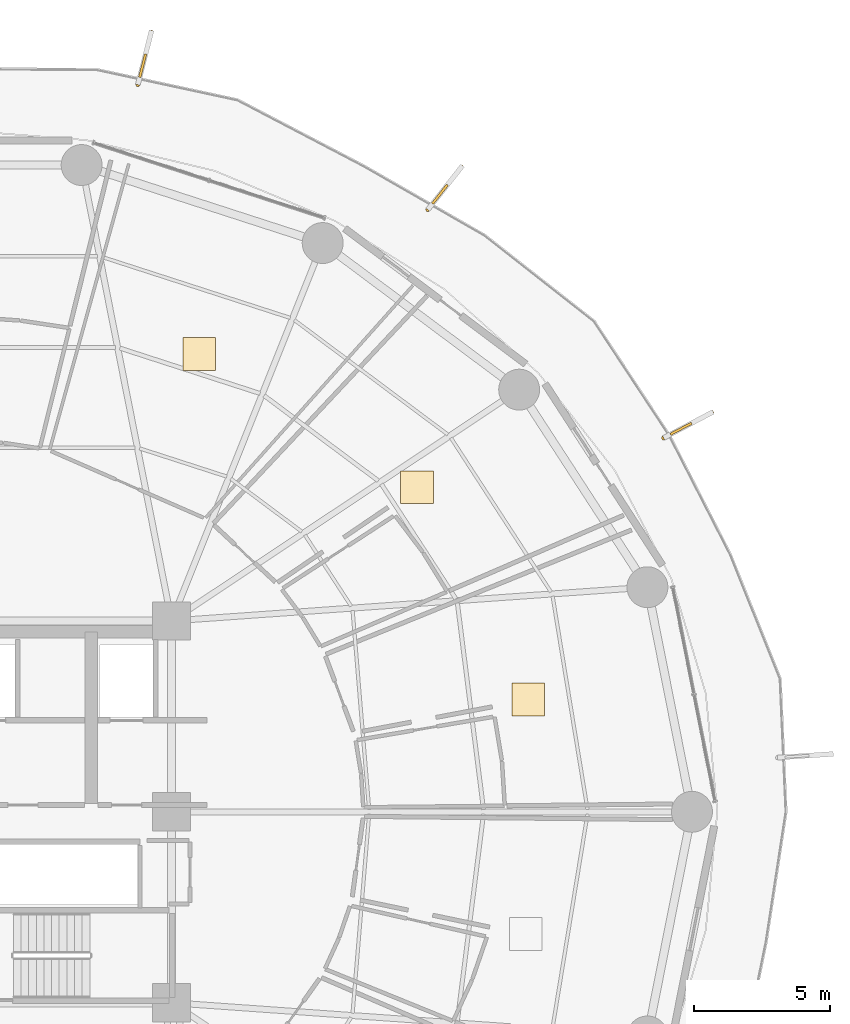
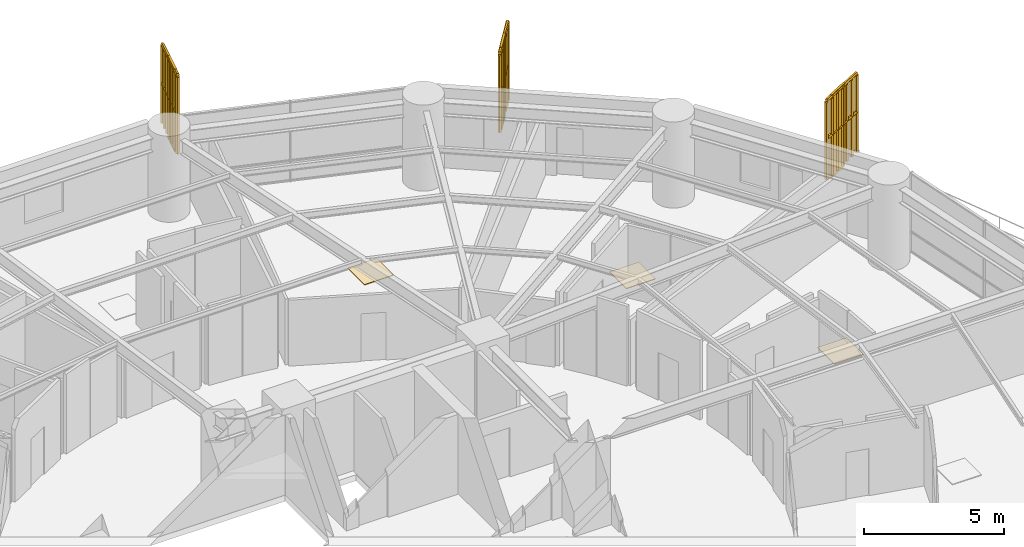
# One storey, part 33 of 33: 3 coverings, 3 railings, 3 shading devices.
"""IFC4 building model written with IfcOpenShell, lengths in metres."""

from ifc_helpers import new_model, si_unit, direction, frame, origin, origin_2d, place, context, subcontext, project, spatial, polyline, rectangle, outline, extrude, source, transform, mapped, material, layer, layer_set, type_object, element, save


model = new_model("IFC4")

# Units and contexts
model_context = context("Model", 3, precision=1e-05, world=origin(), true_north=direction((0.0, 1.0)))
body_context = subcontext(model_context, "Body", "Model", "MODEL_VIEW")
ifc_project = project(units=[si_unit("LENGTHUNIT", "METRE"), si_unit("AREAUNIT", "SQUARE_METRE"), si_unit("VOLUMEUNIT", "CUBIC_METRE"), si_unit("PLANEANGLEUNIT", "RADIAN"), si_unit("MASSUNIT", "GRAM", prefix="KILO")], contexts=[model_context])

# Site, building, storey
site_placement = place(None, origin())
site = spatial("IfcSite", under=ifc_project, at=site_placement, CompositionType="ELEMENT")
building_placement = place(site_placement, origin())
building = spatial("IfcBuilding", under=site, at=building_placement, Name="Kelanora Arch Commons", CompositionType="ELEMENT")
storey_placement = place(building_placement, frame((0.0, 0.0, 26.25)))
storey = spatial("IfcBuildingStorey", under=building, at=storey_placement, Name="L06", CompositionType="ELEMENT", Elevation=26.25)

# Railings
ifc_material_1 = material(Name="Anodised bronze vertical shading fin rib assembly")
railing_type = type_object("IfcRailingType", Name="RAIL-FIN-BRZ", PredefinedType="BALUSTRADE", material=ifc_material_1)
railing_1_placement = place(storey_placement, frame((100.04248046875, 71.710205078125, -0.02001953125)))
element("IfcRailing", 1, at=railing_1_placement, inside=storey, type_object=railing_type, Name="Sweeping Bronze Vertical Fin Blade L06-01", PredefinedType="BALUSTRADE", context=body_context, shape_type="SweptSolid", body=[
    extrude(outline(polyline([(0.06982421875, 0.0), (0.034912109375, 0.060546875), (-0.034912109375, 0.060546875), (-0.06982421875, 0.0), (-0.034912109375, -0.060546875), (0.034912109375, -0.060546875), (0.06982421875, 0.0)])), frame((0.0, 0.0, 3.419921875), z_axis=(0.884870377429, 0.465837326916, 0.0), x_axis=(-0.465837326916, 0.884870377429, 0.0)), (0.0, 0.0, 1.0), 1.99267578125),
    extrude(outline(polyline([(0.06982421875, 0.0), (0.034912109375, 0.060546875), (-0.034912109375, 0.060546875), (-0.06982421875, 0.0), (-0.034912109375, -0.060546875), (0.034912109375, -0.060546875), (0.06982421875, 0.0)])), frame((0.0, 0.0, 1.7451171875), z_axis=(0.884870377429, 0.465837326916, 0.0), x_axis=(-0.465837326916, 0.884870377429, 0.0)), (0.0, 0.0, 1.0), 1.99267578125),
    extrude(outline(polyline([(0.080078125, 0.0), (0.0400390625, 0.0693359375), (-0.0400390625, 0.0693359375), (-0.080078125, 0.0), (-0.0400390625, -0.0693359375), (0.0400390625, -0.0693359375), (0.080078125, 0.0)])), origin(), (0.0, 0.0, 1.0), 3.35009765625),
    extrude(outline(polyline([(0.080078125, 0.0), (0.0400390625, 0.0693359375), (-0.0400390625, 0.0693359375), (-0.080078125, 0.0), (-0.0400390625, -0.0693359375), (0.0400390625, -0.0693359375), (0.080078125, 0.0)])), frame((0.2939453125, 0.15478515625, 0.0)), (0.0, 0.0, 1.0), 3.35009765625),
    extrude(outline(polyline([(0.080078125, 0.0), (0.0400390625, 0.0693359375), (-0.0400390625, 0.0693359375), (-0.080078125, 0.0), (-0.0400390625, -0.0693359375), (0.0400390625, -0.0693359375), (0.080078125, 0.0)])), frame((0.587646484375, 0.309326171875, 0.0)), (0.0, 0.0, 1.0), 3.35009765625),
    extrude(outline(polyline([(0.080078125, 0.0), (0.0400390625, 0.0693359375), (-0.0400390625, 0.0693359375), (-0.080078125, 0.0), (-0.0400390625, -0.0693359375), (0.0400390625, -0.0693359375), (0.080078125, 0.0)])), frame((0.881591796875, 0.464111328125, 0.0)), (0.0, 0.0, 1.0), 3.35009765625),
    extrude(outline(polyline([(0.080078125, 0.0), (0.0400390625, 0.0693359375), (-0.0400390625, 0.0693359375), (-0.080078125, 0.0), (-0.0400390625, -0.0693359375), (0.0400390625, -0.0693359375), (0.080078125, 0.0)])), frame((1.175537109375, 0.618896484375, 0.0)), (0.0, 0.0, 1.0), 3.35009765625),
    extrude(outline(polyline([(0.080078125, 0.0), (0.0400390625, 0.0693359375), (-0.0400390625, 0.0693359375), (-0.080078125, 0.0), (-0.0400390625, -0.0693359375), (0.0400390625, -0.0693359375), (0.080078125, 0.0)])), frame((1.46923828125, 0.7734375, 0.0)), (0.0, 0.0, 1.0), 3.35009765625),
    extrude(outline(polyline([(0.080078125, 0.0), (0.0400390625, 0.0693359375), (-0.0400390625, 0.0693359375), (-0.080078125, 0.0), (-0.0400390625, -0.0693359375), (0.0400390625, -0.0693359375), (0.080078125, 0.0)])), frame((1.76318359375, 0.92822265625, 0.0)), (0.0, 0.0, 1.0), 3.35009765625),
])
railing_2_placement = place(storey_placement, frame((91.395263671875, 80.07763671875, -0.02001953125)))
element("IfcRailing", 2, at=railing_2_placement, inside=storey, type_object=railing_type, Name="Sweeping Bronze Vertical Fin Blade L06-02", PredefinedType="BALUSTRADE", context=body_context, shape_type="SweptSolid", body=[
    extrude(outline(polyline([(0.06982421875, 0.0), (0.034912109375, 0.060546875), (-0.034912109375, 0.060546875), (-0.06982421875, 0.0), (-0.034912109375, -0.060546875), (0.034912109375, -0.060546875), (0.06982421875, 0.0)])), frame((0.0, 0.0, 3.419921875), z_axis=(0.618865354166, 0.785497086826, 0.0), x_axis=(-0.785497086826, 0.618865354166, 0.0)), (0.0, 0.0, 1.0), 1.99267578125),
    extrude(outline(polyline([(0.06982421875, 0.0), (0.034912109375, 0.060546875), (-0.034912109375, 0.060546875), (-0.06982421875, 0.0), (-0.034912109375, -0.060546875), (0.034912109375, -0.060546875), (0.06982421875, 0.0)])), frame((0.0, 0.0, 1.7451171875), z_axis=(0.618865354166, 0.785497086826, 0.0), x_axis=(-0.785497086826, 0.618865354166, 0.0)), (0.0, 0.0, 1.0), 1.99267578125),
    extrude(outline(polyline([(0.080078125, 0.0), (0.0400390625, 0.0693359375), (-0.0400390625, 0.0693359375), (-0.080078125, 0.0), (-0.0400390625, -0.0693359375), (0.0400390625, -0.0693359375), (0.080078125, 0.0)])), origin(), (0.0, 0.0, 1.0), 3.35009765625),
    extrude(outline(polyline([(0.080078125, 0.0), (0.0400390625, 0.0693359375), (-0.0400390625, 0.0693359375), (-0.080078125, 0.0), (-0.0400390625, -0.0693359375), (0.0400390625, -0.0693359375), (0.080078125, 0.0)])), frame((0.20556640625, 0.2607421875, 0.0)), (0.0, 0.0, 1.0), 3.35009765625),
    extrude(outline(polyline([(0.080078125, 0.0), (0.0400390625, 0.0693359375), (-0.0400390625, 0.0693359375), (-0.080078125, 0.0), (-0.0400390625, -0.0693359375), (0.0400390625, -0.0693359375), (0.080078125, 0.0)])), frame((0.4111328125, 0.521728515625, 0.0)), (0.0, 0.0, 1.0), 3.35009765625),
    extrude(outline(polyline([(0.080078125, 0.0), (0.0400390625, 0.0693359375), (-0.0400390625, 0.0693359375), (-0.080078125, 0.0), (-0.0400390625, -0.0693359375), (0.0400390625, -0.0693359375), (0.080078125, 0.0)])), frame((0.61669921875, 0.78271484375, 0.0)), (0.0, 0.0, 1.0), 3.35009765625),
    extrude(outline(polyline([(0.080078125, 0.0), (0.0400390625, 0.0693359375), (-0.0400390625, 0.0693359375), (-0.080078125, 0.0), (-0.0400390625, -0.0693359375), (0.0400390625, -0.0693359375), (0.080078125, 0.0)])), frame((0.822021484375, 1.04345703125, 0.0)), (0.0, 0.0, 1.0), 3.35009765625),
    extrude(outline(polyline([(0.080078125, 0.0), (0.0400390625, 0.0693359375), (-0.0400390625, 0.0693359375), (-0.080078125, 0.0), (-0.0400390625, -0.0693359375), (0.0400390625, -0.0693359375), (0.080078125, 0.0)])), frame((1.027587890625, 1.30419921875, 0.0)), (0.0, 0.0, 1.0), 3.35009765625),
    extrude(outline(polyline([(0.080078125, 0.0), (0.0400390625, 0.0693359375), (-0.0400390625, 0.0693359375), (-0.080078125, 0.0), (-0.0400390625, -0.0693359375), (0.0400390625, -0.0693359375), (0.080078125, 0.0)])), frame((1.233154296875, 1.565185546875, 0.0)), (0.0, 0.0, 1.0), 3.35009765625),
])
railing_3_placement = place(storey_placement, frame((80.76318359375, 84.659423828125, -0.02001953125)))
element("IfcRailing", 3, at=railing_3_placement, inside=storey, type_object=railing_type, Name="Sweeping Bronze Vertical Fin Blade L06-03", PredefinedType="BALUSTRADE", context=body_context, shape_type="SweptSolid", body=[
    extrude(outline(polyline([(0.06982421875, 0.0), (0.034912109375, 0.060546875), (-0.034912109375, 0.060546875), (-0.06982421875, 0.0), (-0.034912109375, -0.060546875), (0.034912109375, -0.060546875), (0.06982421875, 0.0)])), frame((0.0, 0.0, 3.419921875), z_axis=(0.245907193666, 0.969293377726, 0.0), x_axis=(-0.969293377726, 0.245907193666, 0.0)), (0.0, 0.0, 1.0), 1.99267578125),
    extrude(outline(polyline([(0.06982421875, 0.0), (0.034912109375, 0.060546875), (-0.034912109375, 0.060546875), (-0.06982421875, 0.0), (-0.034912109375, -0.060546875), (0.034912109375, -0.060546875), (0.06982421875, 0.0)])), frame((0.0, 0.0, 1.7451171875), z_axis=(0.245907193666, 0.969293377726, 0.0), x_axis=(-0.969293377726, 0.245907193666, 0.0)), (0.0, 0.0, 1.0), 1.99267578125),
    extrude(outline(polyline([(0.080078125, 0.0), (0.0400390625, 0.0693359375), (-0.0400390625, 0.0693359375), (-0.080078125, 0.0), (-0.0400390625, -0.0693359375), (0.0400390625, -0.0693359375), (0.080078125, 0.0)])), origin(), (0.0, 0.0, 1.0), 3.35009765625),
    extrude(outline(polyline([(0.080078125, 0.0), (0.0400390625, 0.0693359375), (-0.0400390625, 0.0693359375), (-0.080078125, 0.0), (-0.0400390625, -0.0693359375), (0.0400390625, -0.0693359375), (0.080078125, 0.0)])), frame((0.08154296875, 0.32177734375, 0.0)), (0.0, 0.0, 1.0), 3.35009765625),
    extrude(outline(polyline([(0.080078125, 0.0), (0.0400390625, 0.0693359375), (-0.0400390625, 0.0693359375), (-0.080078125, 0.0), (-0.0400390625, -0.0693359375), (0.0400390625, -0.0693359375), (0.080078125, 0.0)])), frame((0.163330078125, 0.643798828125, 0.0)), (0.0, 0.0, 1.0), 3.35009765625),
    extrude(outline(polyline([(0.080078125, 0.0), (0.0400390625, 0.0693359375), (-0.0400390625, 0.0693359375), (-0.080078125, 0.0), (-0.0400390625, -0.0693359375), (0.0400390625, -0.0693359375), (0.080078125, 0.0)])), frame((0.2451171875, 0.9658203125, 0.0)), (0.0, 0.0, 1.0), 3.35009765625),
    extrude(outline(polyline([(0.080078125, 0.0), (0.0400390625, 0.0693359375), (-0.0400390625, 0.0693359375), (-0.080078125, 0.0), (-0.0400390625, -0.0693359375), (0.0400390625, -0.0693359375), (0.080078125, 0.0)])), frame((0.32666015625, 1.28759765625, 0.0)), (0.0, 0.0, 1.0), 3.35009765625),
    extrude(outline(polyline([(0.080078125, 0.0), (0.0400390625, 0.0693359375), (-0.0400390625, 0.0693359375), (-0.080078125, 0.0), (-0.0400390625, -0.0693359375), (0.0400390625, -0.0693359375), (0.080078125, 0.0)])), frame((0.408203125, 1.609375, 0.0)), (0.0, 0.0, 1.0), 3.35009765625),
    extrude(outline(polyline([(0.080078125, 0.0), (0.0400390625, 0.0693359375), (-0.0400390625, 0.0693359375), (-0.080078125, 0.0), (-0.0400390625, -0.0693359375), (0.0400390625, -0.0693359375), (0.080078125, 0.0)])), frame((0.489990234375, 1.931396484375, 0.0)), (0.0, 0.0, 1.0), 3.35009765625),
])

# Shading devices
ifc_material_2 = material(Name="Terracotta ceramic-clad extruded aluminium fin", Category="masonry")
shading_device_type = type_object("IfcShadingDeviceType", Name="SHD-FIN-FLARE", PredefinedType="USERDEFINED", material=ifc_material_2)
shared_shape_1 = source(origin(), body_context, "Body", "SweptSolid", [
    extrude(rectangle(XDim=0.8798828125, YDim=0.090087890625, at=origin_2d()), origin(), (0.0, 0.0, 1.0), 3.610107421875),
])
for number, where, z_axis, x_axis, name in (
    (4, (100.6796875, 72.045654296875, -0.14013671875), (0.0, 0.0, 1.0), (0.884825053421, 0.465923410914, 0.0), "Sweeping Terracotta Fin L06-01"),
    (5, (91.8408203125, 80.643310546875, -0.14013671875), (0.0, 0.0, 1.0), (0.618819784276, 0.785532987588, 0.0), "Sweeping Terracotta Fin L06-02"),
    (6, (80.940185546875, 85.357421875, -0.14013671875), (0.0, 0.0, 1.0), (0.245814952628, 0.969316774365, 0.0), "Sweeping Terracotta Fin L06-03"),
):
    element("IfcShadingDevice", number, at=place(storey_placement, frame(where, z_axis=z_axis, x_axis=x_axis)), inside=storey, type_object=shading_device_type, Name=name, ObjectType="FIN", PredefinedType="USERDEFINED", context=body_context, shape_type="MappedRepresentation", body=[
        mapped(shared_shape_1, transform((0.0, 0.0, 0.0), scale=1.0)),
    ])

# Coverings
ifc_material_3 = material(Name="Polished local granite terrazzo flooring", Category="masonry")
ifc_layer = layer(ifc_material_3, 0.030029296875)
ifc_layer_set = layer_set([ifc_layer], Name="Polished local granite terrazzo flooring")
covering_type = type_object("IfcCoveringType", Name="COV-FLR-TER", PredefinedType="FLOORING", material=ifc_layer_set)
shared_shape_2 = source(origin(), body_context, "Body", "SweptSolid", [
    extrude(rectangle(XDim=1.199951171875, YDim=1.199951171875, at=origin_2d()), origin(), (0.0, 0.0, 1.0), 0.030029296875),
])
for number, where, z_axis, x_axis, name in (
    (7, (95.076416015625, 62.118896484375, 0.0), (0.0, 0.0, 1.0), (1.0, 0.0, 0.0), "Co-Living Studio L06-01 Terrazzo Finish"),
    (8, (90.995849609375, 69.902587890625, 0.0), (0.0, 0.0, 1.0), (1.0, 0.0, 0.0), "Co-Living Studio L06-02 Terrazzo Finish"),
    (9, (83.015380859375, 74.78271484375, 0.0), (0.0, 0.0, 1.0), (1.0, 0.0, 0.0), "Social Sky Lounge L06-03 Terrazzo Finish"),
):
    element("IfcCovering", number, at=place(storey_placement, frame(where, z_axis=z_axis, x_axis=x_axis)), inside=storey, type_object=covering_type, Name=name, PredefinedType="FLOORING", context=body_context, shape_type="MappedRepresentation", body=[
        mapped(shared_shape_2, transform((0.0, 0.0, 0.0), scale=1.0)),
    ])

save(model, "model.ifc")
